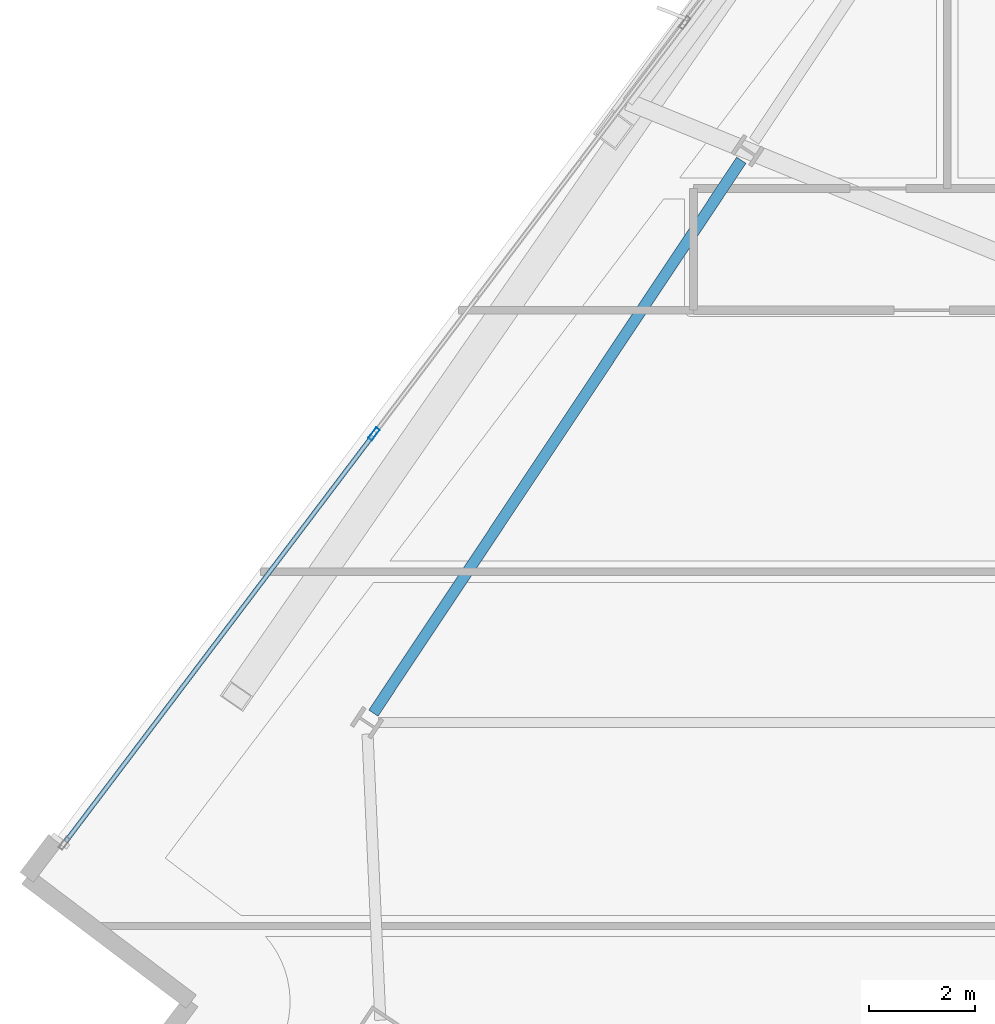
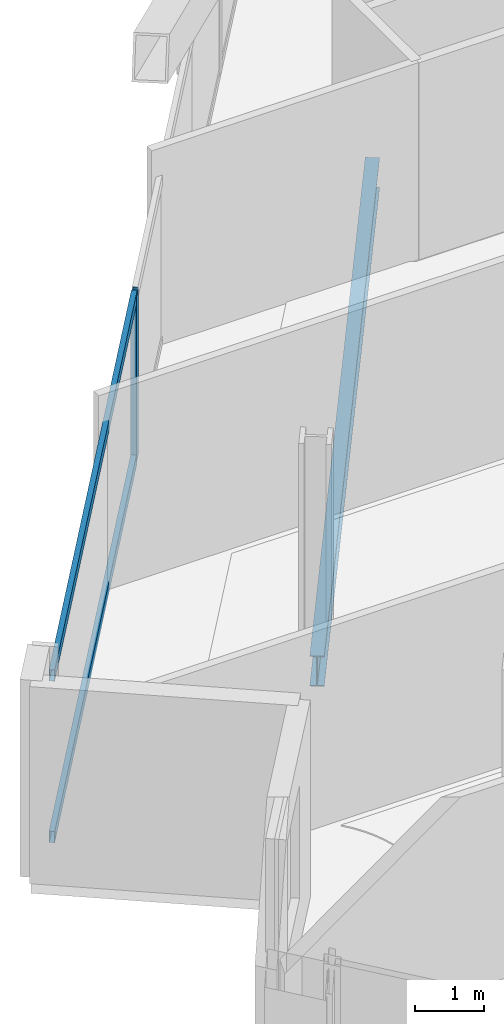
# One storey, part 16 of 34: 3 members, 1 beam, 1 element without a shape of its own.
"""IFC4 building model written with IfcOpenShell, lengths in metres."""

from ifc_helpers import new_model, si_unit, direction, frame, origin, origin_2d, place, context, subcontext, project, spatial, hollow_rectangle, i_section, extrude, material, material_profile, profile_set, type_object, element, aggregate, save


model = new_model("IFC4")

# Units and contexts
model_context = context("Model", 3, precision=1e-05, world=origin(), true_north=direction((0.0, 1.0)))
body_context = subcontext(model_context, "Body", "Model", "MODEL_VIEW")
ifc_project = project(units=[si_unit("LENGTHUNIT", "METRE"), si_unit("AREAUNIT", "SQUARE_METRE"), si_unit("VOLUMEUNIT", "CUBIC_METRE"), si_unit("PLANEANGLEUNIT", "RADIAN"), si_unit("MASSUNIT", "GRAM", prefix="KILO")], contexts=[model_context])

# Site, building, storey
site_placement = place(None, origin())
site = spatial("IfcSite", under=ifc_project, at=site_placement, CompositionType="ELEMENT")
building_placement = place(site_placement, origin())
building = spatial("IfcBuilding", under=site, at=building_placement, Name="Haldenkirk Collegiate Tower", CompositionType="ELEMENT")
storey_placement = place(building_placement, frame((0.0, 0.0, 205.949951171875)))
storey = spatial("IfcBuildingStorey", under=building, at=storey_placement, Name="L51", CompositionType="ELEMENT", Elevation=205.949951171875)

# Beam
ifc_material_1 = material(Name="Steel ASTM A992 Grade 50", Category="steel")
ifc_material_profile_1 = material_profile(ifc_material_1, i_section(OverallWidth=0.2099609375, OverallDepth=0.537109375, WebThickness=0.010986328125, FlangeThickness=0.017333984375, at=origin_2d()), Name="W21X68")
ifc_profile_set_1 = profile_set([ifc_material_profile_1], Name="Steel ASTM A992 Grade 50")
beam_type = type_object("IfcBeamType", Name="BM-SPANDREL-W21X68", PredefinedType="SPANDREL", material=ifc_profile_set_1)
beam_placement = place(storey_placement, frame((19.106201171875, 36.98486328125, -0.54833984375), z_axis=(-0.554117024454, -0.832438780458, 0.0), x_axis=(0.832438780458, -0.554117024454, 0.0)))
element("IfcBeam", 1, at=beam_placement, inside=storey, type_object=beam_type, Name="L51 perimeter spandrel beam 11", PredefinedType="SPANDREL", context=body_context, shape_type="SweptSolid", body=[
    extrude(i_section(OverallWidth=0.2099609375, OverallDepth=0.537109375, WebThickness=0.010986328125, FlangeThickness=0.017333984375, at=origin_2d()), origin(), (0.0, 0.0, 1.0), 12.562255859375),
])

# Curtain wall, members
ifc_material_2 = material(Name="Anodised architectural bronze aluminium", Category="aluminium")
curtain_wall_type = type_object("IfcCurtainWallType", Name="CW-SYS1B-CONVEX-HI", PredefinedType="USERDEFINED", material=ifc_material_2)
curtain_wall_placement = place(storey_placement, origin())
curtain_wall = element("IfcCurtainWall", 2, at=curtain_wall_placement, inside=storey, type_object=curtain_wall_type, Name="L51 Upper tower high-wind convex bronze unitised curtain wall", ObjectType="UNITISED CURTAIN WALL", PredefinedType="USERDEFINED")
ifc_material_profile_2 = material_profile(ifc_material_2, hollow_rectangle(XDim=0.0849609375, YDim=0.25, WallThickness=0.0048828125, at=origin_2d()), Name="CW-MUL-1B")
ifc_profile_set_2 = profile_set([ifc_material_profile_2], Name="Anodised architectural bronze aluminium")
member_type_1 = type_object("IfcMemberType", Name="CW-MUL-1B", PredefinedType="MULLION", material=ifc_profile_set_2)
member_1_placement = place(storey_placement, frame((12.1572265625, 31.807861328125, 0.0), z_axis=(0.0, 0.0, 1.0), x_axis=(-0.797584320771, 0.6032074695, 0.0)))
member_1 = element("IfcMember", 3, at=member_1_placement, type_object=member_type_1, Name="CW-1B mullion 2", PredefinedType="MULLION", context=body_context, shape_type="SweptSolid", body=[
    extrude(hollow_rectangle(XDim=0.0849609375, YDim=0.25, WallThickness=0.0048828125, at=origin_2d()), origin(), (0.0, 0.0, 1.0), 2.927978515625),
])
ifc_material_profile_3 = material_profile(ifc_material_2, hollow_rectangle(XDim=0.0849609375, YDim=0.199951171875, WallThickness=0.0048828125, at=origin_2d()), Name="CW-TRN-1B")
ifc_profile_set_3 = profile_set([ifc_material_profile_3], Name="Anodised architectural bronze aluminium")
member_type_2 = type_object("IfcMemberType", Name="CW-TRN-1B", PredefinedType="USERDEFINED", material=ifc_profile_set_3)
member_2_placement = place(storey_placement, frame((6.3271484375, 24.09912109375, 0.04248046875), z_axis=(0.603210246182, 0.797582220778, 0.0), x_axis=(-0.797582220778, 0.603210246182, 0.0)))
member_2 = element("IfcMember", 4, at=member_2_placement, type_object=member_type_2, Name="CW-1B transom 1.1", ObjectType="TRANSOM", PredefinedType="USERDEFINED", context=body_context, shape_type="SweptSolid", body=[
    extrude(hollow_rectangle(XDim=0.0849609375, YDim=0.199951171875, WallThickness=0.0048828125, at=origin_2d()), origin(), (0.0, 0.0, 1.0), 9.62255859375),
])
member_3_placement = place(storey_placement, frame((6.3271484375, 24.09912109375, 2.885498046875), z_axis=(0.603210246182, 0.797582220778, 0.0), x_axis=(-0.797582220778, 0.603210246182, 0.0)))
member_3 = element("IfcMember", 5, at=member_3_placement, type_object=member_type_2, Name="CW-1B transom 1.2", ObjectType="TRANSOM", PredefinedType="USERDEFINED", context=body_context, shape_type="SweptSolid", body=[
    extrude(hollow_rectangle(XDim=0.0849609375, YDim=0.199951171875, WallThickness=0.0048828125, at=origin_2d()), origin(), (0.0, 0.0, 1.0), 9.62255859375),
])
aggregate(curtain_wall, [member_1, member_2, member_3])

save(model, "model.ifc")
